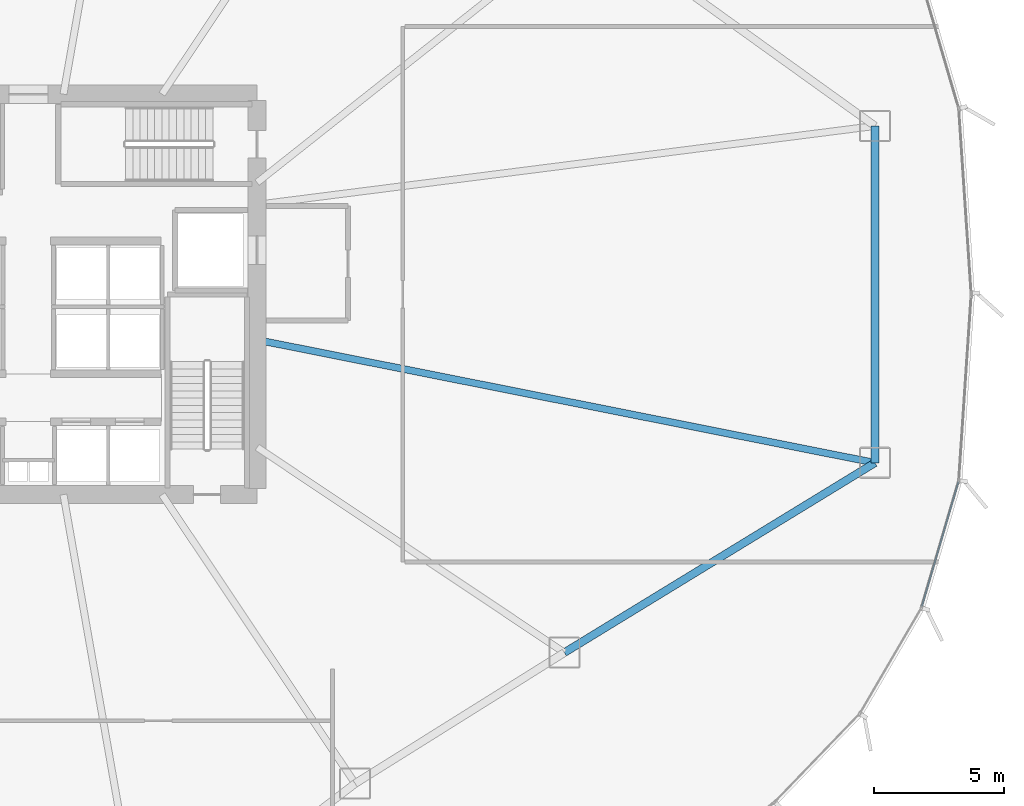
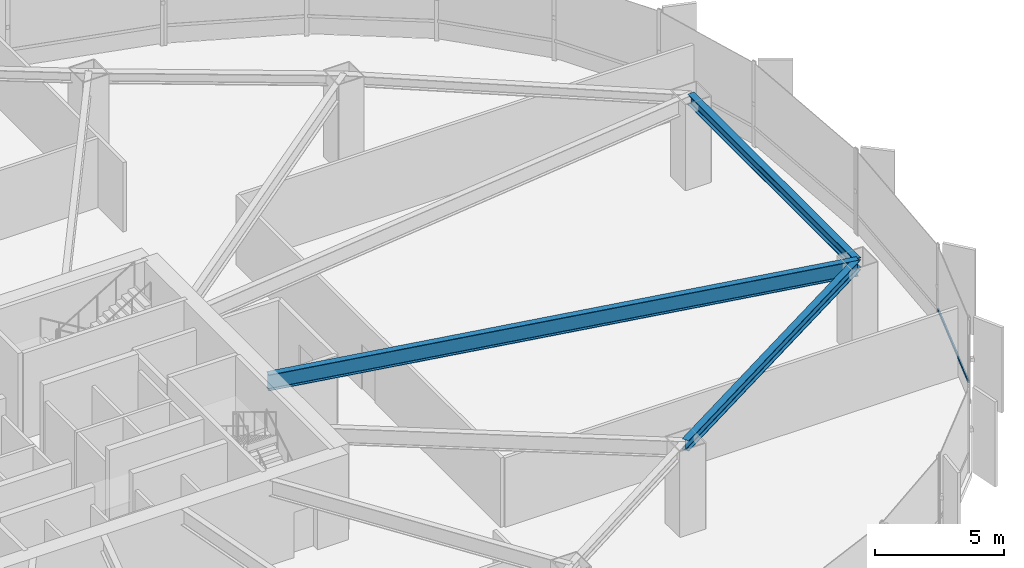
# One storey, part 18 of 34: 3 beams, 1 member, 1 element without a shape of its own.
"""IFC4 building model written with IfcOpenShell, lengths in metres."""

from ifc_helpers import new_model, si_unit, direction, frame, origin, origin_2d, place, context, subcontext, project, spatial, hollow_rectangle, i_section, extrude, source, transform, mapped, material, layer, layer_set, material_profile, profile_set, type_object, element, aggregate, save


model = new_model("IFC4")

# Units and contexts
model_context = context("Model", 3, precision=1e-05, world=origin(), true_north=direction((0.0, 1.0)))
body_context = subcontext(model_context, "Body", "Model", "MODEL_VIEW")
ifc_project = project(units=[si_unit("LENGTHUNIT", "METRE"), si_unit("AREAUNIT", "SQUARE_METRE"), si_unit("VOLUMEUNIT", "CUBIC_METRE"), si_unit("PLANEANGLEUNIT", "RADIAN"), si_unit("MASSUNIT", "GRAM", prefix="KILO"), si_unit("THERMODYNAMICTEMPERATUREUNIT", "KELVIN")], contexts=[model_context])

# Site, building, storey
site_placement = place(None, origin())
site = spatial("IfcSite", under=ifc_project, at=site_placement, CompositionType="ELEMENT")
building_placement = place(site_placement, origin())
building = spatial("IfcBuilding", under=site, at=building_placement, Name="Kethvar Cultural Tower", CompositionType="ELEMENT")
storey_placement = place(building_placement, frame((0.0, 0.0, 19.60009765625)))
storey = spatial("IfcBuildingStorey", under=building, at=storey_placement, Name="L04", CompositionType="ELEMENT", Elevation=19.60009765625)

# Beams
ifc_material_1 = material(Name="Steel S355J2", Category="steel")
ifc_material_profile_1 = material_profile(ifc_material_1, i_section(OverallWidth=0.300048828125, OverallDepth=0.5, WebThickness=0.014404296875, FlangeThickness=0.028076171875, FilletRadius=0.027099609375, at=origin_2d()), Name="Steel S355J2 — HEB500")
ifc_profile_set_1 = profile_set([ifc_material_profile_1], Name="Steel S355J2 — HEB500")
beam_type_1 = type_object("IfcBeamType", Name="BM-SP500", PredefinedType="SPANDREL", material=ifc_profile_set_1)
shared_shape_1 = source(origin(), body_context, "Body", "SweptSolid", [
    extrude(i_section(OverallWidth=0.300048828125, OverallDepth=0.5, WebThickness=0.014404296875, FlangeThickness=0.028076171875, FilletRadius=0.027099609375, at=origin_2d()), origin(), (0.0, 0.0, 1.0), 13.997802734375),
])
beam_1_placement = place(storey_placement, frame((67.41845703125, 14.023193359375, 3.827880859375), z_axis=(0.853252083851, 0.521498687826, 0.0), x_axis=(-0.521498687826, 0.853252083851, 0.0)))
element("IfcBeam", 1, at=beam_1_placement, inside=storey, type_object=beam_type_1, Name="L04 Podium Ring Beam 15", PredefinedType="SPANDREL", context=body_context, shape_type="MappedRepresentation", body=[
    mapped(shared_shape_1, transform((0.0, 0.0, 0.0), scale=1.0)),
])
shared_shape_2 = source(origin(), body_context, "Body", "SweptSolid", [
    extrude(i_section(OverallWidth=0.300048828125, OverallDepth=0.5, WebThickness=0.014404296875, FlangeThickness=0.028076171875, FilletRadius=0.027099609375, at=origin_2d()), origin(), (0.0, 0.0, 1.0), 12.9541015625),
])
beam_2_placement = place(storey_placement, frame((79.362060546875, 21.322998046875, 3.827880859375), z_axis=(0.0, 1.0, 0.0), x_axis=(-1.0, 0.0, 0.0)))
element("IfcBeam", 2, at=beam_2_placement, inside=storey, type_object=beam_type_1, Name="L04 Podium Ring Beam 16", PredefinedType="SPANDREL", context=body_context, shape_type="MappedRepresentation", body=[
    mapped(shared_shape_2, transform((0.0, 0.0, 0.0), scale=1.0)),
])
ifc_material_profile_2 = material_profile(ifc_material_1, i_section(OverallWidth=0.26708984375, OverallDepth=0.761962890625, WebThickness=0.014404296875, FlangeThickness=0.021484375, FilletRadius=0.01708984375, at=origin_2d()), Name="Steel S355J2 — IPE750x173")
ifc_profile_set_2 = profile_set([ifc_material_profile_2], Name="Steel S355J2 — IPE750x173")
beam_type_2 = type_object("IfcBeamType", Name="BM-IPE750", PredefinedType="BEAM", material=ifc_profile_set_2)
shared_shape_3 = source(origin(), body_context, "Body", "SweptSolid", [
    extrude(i_section(OverallWidth=0.26708984375, OverallDepth=0.761962890625, WebThickness=0.014404296875, FlangeThickness=0.021484375, FilletRadius=0.01708984375, at=origin_2d()), origin(), (0.0, 0.0, 1.0), 24.2275390625),
])
beam_3_placement = place(storey_placement, frame((55.60009765625, 26.049560546875, 3.697021484375), z_axis=(0.980785168194, -0.195090886131, 0.0), x_axis=(0.195090886131, 0.980785168194, 0.0)))
element("IfcBeam", 3, at=beam_3_placement, inside=storey, type_object=beam_type_2, Name="L04 Podium Radial Girder 16", PredefinedType="BEAM", context=body_context, shape_type="MappedRepresentation", body=[
    mapped(shared_shape_3, transform((0.0, 0.0, 0.0), scale=1.0)),
])

# Curtain wall, member
ifc_material_2 = material(Name="Aluminium 6063-T6", Category="aluminium")
ifc_layer = layer(ifc_material_2, 0.179931640625, Name="Aluminium 6063-T6", Category="aluminium")
ifc_layer_set = layer_set([ifc_layer], Name="Aluminium 6063-T6 (180 mm)")
curtain_wall_type = type_object("IfcCurtainWallType", Name="CW-SYS-01-POD", PredefinedType="NOTDEFINED", material=ifc_layer_set)
curtain_wall_placement = place(storey_placement, origin())
curtain_wall = element("IfcCurtainWall", 4, at=curtain_wall_placement, inside=storey, type_object=curtain_wall_type, Name="L04 Curtain Wall Run 06", PredefinedType="NOTDEFINED")
ifc_material_profile_3 = material_profile(ifc_material_2, hollow_rectangle(XDim=0.06005859375, YDim=0.139892578125, WallThickness=0.0048828125, at=origin_2d()), Name="Aluminium 6063-T6 — RHS140x60x5")
ifc_profile_set_3 = profile_set([ifc_material_profile_3], Name="Aluminium 6063-T6 — RHS140x60x5")
member_type = type_object("IfcMemberType", Name="CW-SYS-01-POD-TRN", PredefinedType="USERDEFINED", material=ifc_profile_set_3)
shared_shape_4 = source(origin(), body_context, "Body", "SweptSolid", [
    extrude(hollow_rectangle(XDim=0.06005859375, YDim=0.139892578125, WallThickness=0.0048828125, at=origin_2d()), origin(), (0.0, 0.0, 1.0), 5.0126953125),
])
member_placement = place(storey_placement, frame((81.16552734375, 15.796630859375, 0.949951171875), z_axis=(0.281757580899, 0.959485625534, 0.0), x_axis=(-0.959485625534, 0.281757580899, 0.0)))
member = element("IfcMember", 5, at=member_placement, type_object=member_type, Name="CW-L04-R06 Transom 3", ObjectType="TRANSOM", PredefinedType="USERDEFINED", context=body_context, shape_type="MappedRepresentation", body=[
    mapped(shared_shape_4, transform((0.0, 0.0, 0.0), scale=1.0)),
])
aggregate(curtain_wall, [member])

save(model, "model.ifc")
